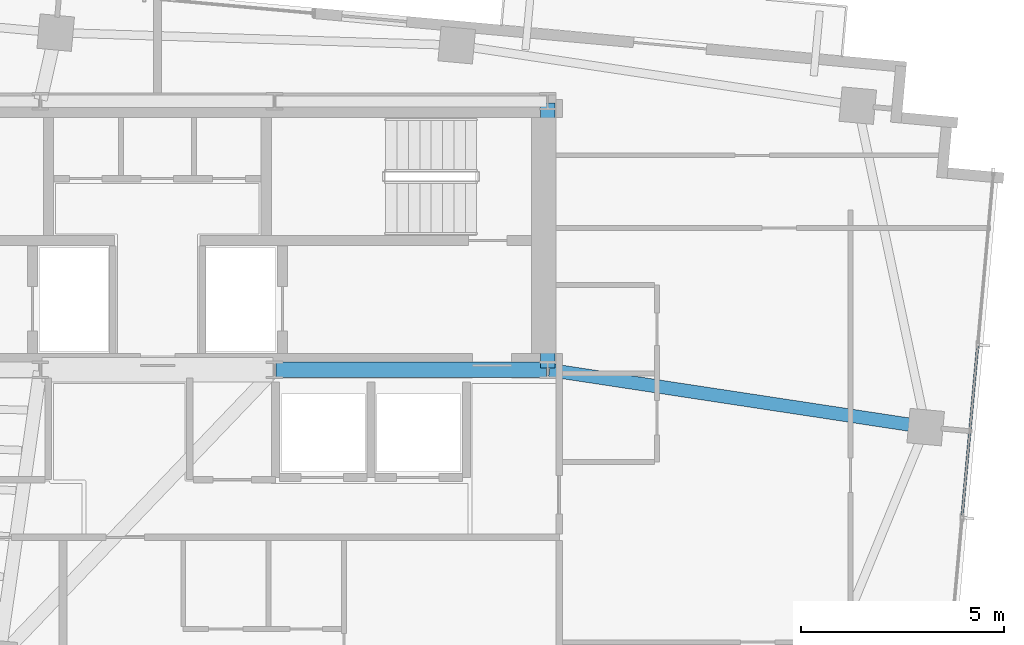
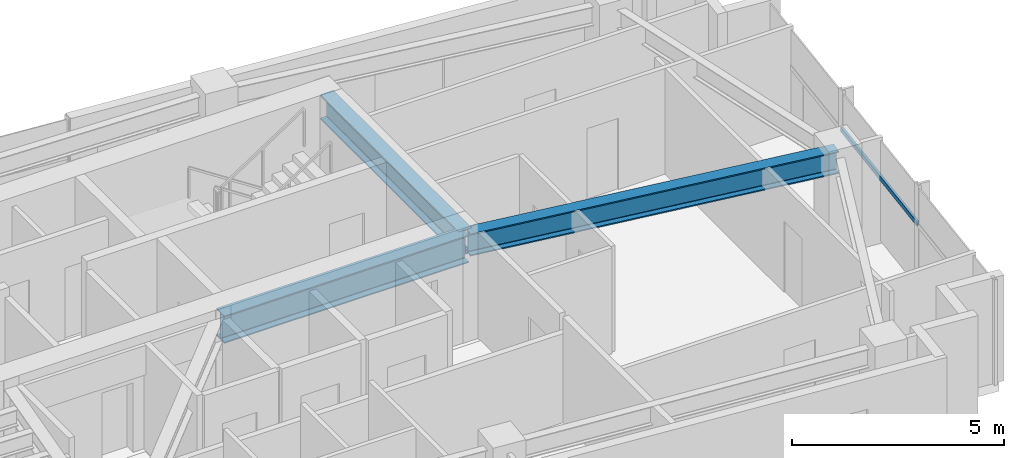
# One storey, part 13 of 22: 3 beams, 1 member, 1 element without a shape of its own.
"""IFC4 building model written with IfcOpenShell, lengths in metres."""

import ifcopenshell
import ifcopenshell.guid

model = None  # the IFC model being written
_history = None  # IfcOwnerHistory: only IFC2X3 demands one
_inside = {}  # id of a spatial element -> (the spatial element, [elements in it])
_under = {}  # id of a project, library or spatial element -> (it, [spatial elements below it])
_declared = {}  # id of a project -> (the project, [libraries it declares])
_typed = {}  # id of a type object -> (the type object, [elements of that type])
_made_of = {}  # id of a material, layer set ... -> (it, [elements and type objects made of it])


def new_model(schema):
    """Start an empty IFC model of exactly this schema.

    Asked for "IFC4X3", IfcOpenShell would pick the latest addendum, in which some entities
    have other attributes; the version numbers below select the first issue.
    IFC2X3 requires an IfcOwnerHistory on every rooted entity: one is made here for all.
    """
    global model, _history
    if schema == "IFC4X3":
        model = ifcopenshell.file(schema_version=(4, 3, 0, 0))
    else:
        model = ifcopenshell.file(schema=schema)
    _inside.clear()
    _under.clear()
    _declared.clear()
    _typed.clear()
    _made_of.clear()
    _history = None
    if model.schema == "IFC2X3":
        org = make("IfcOrganization", Name="unknown")
        user = make(
            "IfcPersonAndOrganization",
            ThePerson=make("IfcPerson", FamilyName="unknown"),
            TheOrganization=org,
        )
        app = make(
            "IfcApplication",
            ApplicationDeveloper=org,
            Version="unknown",
            ApplicationFullName="unknown",
            ApplicationIdentifier="unknown",
        )
        _history = make(
            "IfcOwnerHistory",
            OwningUser=user,
            OwningApplication=app,
            ChangeAction="ADDED",
            CreationDate=0,
        )
    return model


def make(cls, **values):
    """One entity of the class cls with the attributes given. An attribute that is None is left unset."""
    return model.create_entity(
        cls, **{name: value for name, value in values.items() if value is not None}
    )


def rooted(cls, **values):
    """An entity with a GlobalId (a new one), such as an element, a storey or a relation."""
    return make(cls, GlobalId=ifcopenshell.guid.new(), OwnerHistory=_history, **values)


def si_unit(unit_type, name, prefix=None):
    """IfcSIUnit, for example si_unit("LENGTHUNIT", "METRE", prefix="MILLI")."""
    return make("IfcSIUnit", UnitType=unit_type, Prefix=prefix, Name=name)


def assignment(units):
    """IfcUnitAssignment: the units of a project."""
    return None if units is None else make("IfcUnitAssignment", Units=units)


def point(xyz):
    """IfcCartesianPoint."""
    return None if xyz is None else make("IfcCartesianPoint", Coordinates=xyz)


def direction(xyz):
    """IfcDirection."""
    return None if xyz is None else make("IfcDirection", DirectionRatios=xyz)


def frame(location, z_axis=None, x_axis=None):
    """IfcAxis2Placement3D, a coordinate frame: its origin and axes. An axis left out is left unset."""
    return make(
        "IfcAxis2Placement3D",
        Location=point(location),
        Axis=direction(z_axis),
        RefDirection=direction(x_axis),
    )


def frame_2d(location, x_axis=None):
    """IfcAxis2Placement2D, a coordinate frame in the plane: its origin and x axis."""
    return make(
        "IfcAxis2Placement2D", Location=point(location), RefDirection=direction(x_axis)
    )


def origin():
    """The frame at (0, 0, 0) with its axes left unset."""
    return frame((0.0, 0.0, 0.0))


def origin_2d():
    """The frame at (0, 0) in the plane with its x axis left unset."""
    return frame_2d((0.0, 0.0))


def place(relative_to, where):
    """IfcLocalPlacement: puts the frame where relative to a parent placement (None: the world)."""
    return make(
        "IfcLocalPlacement", PlacementRelTo=relative_to, RelativePlacement=where
    )


def context(
    kind, dimensions, precision=None, world=None, true_north=None, identifier=None
):
    """IfcGeometricRepresentationContext, for example the 3D "Model" context."""
    return make(
        "IfcGeometricRepresentationContext",
        ContextIdentifier=identifier,
        ContextType=kind,
        CoordinateSpaceDimension=dimensions,
        Precision=precision,
        WorldCoordinateSystem=world,
        TrueNorth=true_north,
    )


def subcontext(parent, identifier, kind, view, scale=None):
    """IfcGeometricRepresentationSubContext, for example "Body" below "Model"."""
    return make(
        "IfcGeometricRepresentationSubContext",
        ContextIdentifier=identifier,
        ContextType=kind,
        ParentContext=parent,
        TargetScale=scale,
        TargetView=view,
    )


def project(units=None, contexts=None):
    """IfcProject with its units and contexts."""
    return rooted(
        "IfcProject",
        Name="project",
        RepresentationContexts=contexts,
        UnitsInContext=assignment(units),
    )


def spatial(cls, under=None, at=None, **own):
    """A site, building, storey or space (cls), placed at a placement, below another one or the project."""
    s = rooted(cls, ObjectPlacement=at, **own)
    if under is not None:
        _under.setdefault(under.id(), (under, []))[1].append(s)
    return s


def profile(cls, at=None, kind="AREA", **sizes):
    """A parametric profile (cls). Its sizes go by their IFC names, for example OverallWidth=200.0."""
    return make(cls, ProfileType=kind, Position=at, **sizes)


def hollow_rectangle(**sizes):
    """IfcRectangleHollowProfileDef."""
    return profile("IfcRectangleHollowProfileDef", **sizes)


def i_section(**sizes):
    """IfcIShapeProfileDef."""
    return profile("IfcIShapeProfileDef", **sizes)


def extrude(swept, where, along, depth):
    """IfcExtrudedAreaSolid: the profile swept, set in the frame where, extruded along a direction by depth."""
    return make(
        "IfcExtrudedAreaSolid",
        SweptArea=swept,
        Position=where,
        ExtrudedDirection=direction(along),
        Depth=depth,
    )


def shape(context_of_items, identifier, shape_type, items):
    """IfcShapeRepresentation: the items that make up one representation, for example the "Body"."""
    return make(
        "IfcShapeRepresentation",
        ContextOfItems=context_of_items,
        RepresentationIdentifier=identifier,
        RepresentationType=shape_type,
        Items=items,
    )


def source(mapping_origin, context_of_items, identifier, shape_type, items):
    """IfcRepresentationMap: a shape defined once, which mapped items show again and again."""
    return make(
        "IfcRepresentationMap",
        MappingOrigin=mapping_origin,
        MappedRepresentation=shape(context_of_items, identifier, shape_type, items),
    )


def transform(
    local_origin,
    x_axis=None,
    y_axis=None,
    z_axis=None,
    scale=None,
    scale2=None,
    scale3=None,
    uniform=True,
):
    """IfcCartesianTransformationOperator3D, or its non-uniform kind. x_axis, y_axis, z_axis: its Axis1, 2, 3."""
    if uniform:
        return make(
            "IfcCartesianTransformationOperator3D",
            Axis1=direction(x_axis),
            Axis2=direction(y_axis),
            LocalOrigin=point(local_origin),
            Scale=scale,
            Axis3=direction(z_axis),
        )
    return make(
        "IfcCartesianTransformationOperator3DnonUniform",
        Axis1=direction(x_axis),
        Axis2=direction(y_axis),
        LocalOrigin=point(local_origin),
        Scale=scale,
        Axis3=direction(z_axis),
        Scale2=scale2,
        Scale3=scale3,
    )


def mapped(mapping_source, mapping_target):
    """IfcMappedItem: shows the shape of a source again, moved by a transform."""
    return make(
        "IfcMappedItem", MappingSource=mapping_source, MappingTarget=mapping_target
    )


def material(Name=None, Category=None):
    """IfcMaterial."""
    return make("IfcMaterial", Name=Name, Category=Category)


def material_profile(
    of_material, cross_section, Name=None, Category=None, Priority=None
):
    """IfcMaterialProfile: a cross section and its material."""
    return make(
        "IfcMaterialProfile",
        Name=Name,
        Material=of_material,
        Profile=cross_section,
        Priority=Priority,
        Category=Category,
    )


def profile_set(profiles, Name=None, composite=None):
    """IfcMaterialProfileSet."""
    return make(
        "IfcMaterialProfileSet",
        Name=Name,
        MaterialProfiles=profiles,
        CompositeProfile=composite,
    )


def made_of(thing, what):
    """Note that an element or type object is made of a material, layer set ...; save() writes the relation."""
    if what is not None:
        _made_of.setdefault(what.id(), (what, []))[1].append(thing)
    return thing


def type_object(cls, material=None, **own):
    """A type object (cls), such as IfcWallType, which elements share."""
    return made_of(rooted(cls, **own), material)


def type_shapes(of_type, sources):
    """Give a type object the sources (RepresentationMaps) that its elements show as mapped items."""
    of_type.RepresentationMaps = sources


def element(
    cls,
    number,
    at=None,
    inside=None,
    cuts=None,
    type_object=None,
    material=None,
    context=None,
    identifier="Body",
    shape_type=None,
    held_by="IfcProductDefinitionShape",
    body=None,
    shapes=None,
    **own,
):
    """One element of the class cls, such as IfcWall. Its Tag is "e" and its number.

    at: its placement. inside: the storey or other place that contains it. cuts: it is an
    opening in that element (IfcRelVoidsElement). A single representation is given by context,
    identifier, shape_type and body (its items); several are given by shapes. held_by: the class
    of the entity that holds the representations. save() writes the other relations.
    """
    e = rooted(cls, Tag="e%d" % number, ObjectPlacement=at, **own)
    if body is not None:
        shapes = [shape(context, identifier, shape_type, body)]
    if shapes is not None:
        e.Representation = make(held_by, Representations=shapes)
    if inside is not None:
        _inside.setdefault(inside.id(), (inside, []))[1].append(e)
    if cuts is not None:
        rooted(
            "IfcRelVoidsElement", RelatingBuildingElement=cuts, RelatedOpeningElement=e
        )
    if type_object is not None:
        _typed.setdefault(type_object.id(), (type_object, []))[1].append(e)
    return made_of(e, material)


def aggregate(whole, parts):
    """IfcRelAggregates: a whole, such as a stair, and the parts it consists of."""
    return rooted("IfcRelAggregates", RelatingObject=whole, RelatedObjects=parts)


def save(model, path):
    """Write the relations noted so far, then the file.

    IfcRelAggregates (storeys below a building ...), IfcRelContainedInSpatialStructure (elements
    in a storey), IfcRelDefinesByType, IfcRelAssociatesMaterial and IfcRelDeclares: one each for
    every whole, place, type object, material and project.
    """
    for whole, parts in _under.values():
        aggregate(whole, parts)
    for where, things in _inside.values():
        rooted(
            "IfcRelContainedInSpatialStructure",
            RelatedElements=things,
            RelatingStructure=where,
        )
    for kind, things in _typed.values():
        rooted("IfcRelDefinesByType", RelatedObjects=things, RelatingType=kind)
    for what, things in _made_of.values():
        rooted("IfcRelAssociatesMaterial", RelatedObjects=things, RelatingMaterial=what)
    for by, libraries in _declared.values():
        rooted("IfcRelDeclares", RelatingContext=by, RelatedDefinitions=libraries)
    model.write(path)


model = new_model("IFC4")

# Units and contexts
model_context = context("Model", 3, precision=1e-05, world=origin(), true_north=direction((0.0, 1.0)))
body_context = subcontext(model_context, "Body", "Model", "MODEL_VIEW")
ifc_project = project(units=[si_unit("LENGTHUNIT", "METRE"), si_unit("AREAUNIT", "SQUARE_METRE"), si_unit("VOLUMEUNIT", "CUBIC_METRE"), si_unit("PLANEANGLEUNIT", "RADIAN"), si_unit("MASSUNIT", "GRAM", prefix="KILO")], contexts=[model_context])

# Site, building, storey
site_placement = place(None, origin())
site = spatial("IfcSite", under=ifc_project, at=site_placement, CompositionType="ELEMENT")
building_placement = place(site_placement, origin())
building = spatial("IfcBuilding", under=site, at=building_placement, Name="Astriad Promenade Condominiums", CompositionType="ELEMENT")
storey_placement = place(building_placement, frame((0.0, 0.0, 219.89990234375)))
storey = spatial("IfcBuildingStorey", under=building, at=storey_placement, Name="L63", CompositionType="ELEMENT", Elevation=219.89990234375)

# Beams
ifc_material_1 = material(Name="Steel ASTM A992 Grade 50", Category="steel")
ifc_material_profile_1 = material_profile(ifc_material_1, i_section(OverallWidth=0.3837890625, OverallDepth=0.785888671875, WebThickness=0.019775390625, FlangeThickness=0.033447265625, FilletRadius=0.021484375, at=origin_2d()), Name="W30X211")
ifc_profile_set_1 = profile_set([ifc_material_profile_1], Name="Steel ASTM A992 Grade 50")
beam_type_1 = type_object("IfcBeamType", Name="STEEL FLOOR GIRDER W30X211", PredefinedType="BEAM", material=ifc_profile_set_1)
shared_shape_1 = source(origin(), body_context, "Body", "SweptSolid", [
    extrude(i_section(OverallWidth=0.3837890625, OverallDepth=0.785888671875, WebThickness=0.019775390625, FlangeThickness=0.033447265625, FilletRadius=0.021484375, at=origin_2d()), origin(), (0.0, 0.0, 1.0), 6.64013671875),
])
type_shapes(beam_type_1, [shared_shape_1])
beam_1_placement = place(storey_placement, frame((38.919921875, 17.39990234375, 2.647216796875), z_axis=(1.0, 0.0, 0.0), x_axis=(0.0, 1.0, 0.0)))
element("IfcBeam", 1, at=beam_1_placement, inside=storey, type_object=beam_type_1, Name="Core Ring Beam CG-S3-L63", PredefinedType="BEAM", context=body_context, shape_type="MappedRepresentation", body=[
    mapped(shared_shape_1, transform((0.0, 0.0, 0.0), scale=1.0)),
])
ifc_material_profile_2 = material_profile(ifc_material_1, i_section(OverallWidth=0.35791015625, OverallDepth=0.706298828125, WebThickness=0.018310546875, FlangeThickness=0.0302734375, FilletRadius=0.020263671875, at=origin_2d()), Name="W27X178")
ifc_profile_set_2 = profile_set([ifc_material_profile_2], Name="Steel ASTM A992 Grade 50")
beam_type_2 = type_object("IfcBeamType", Name="STEEL FLOOR GIRDER W27X178", PredefinedType="BEAM", material=ifc_profile_set_2)
shared_shape_2 = source(origin(), body_context, "Body", "SweptSolid", [
    extrude(i_section(OverallWidth=0.35791015625, OverallDepth=0.706298828125, WebThickness=0.018310546875, FlangeThickness=0.0302734375, FilletRadius=0.020263671875, at=origin_2d()), origin(), (0.0, 0.0, 1.0), 6.52001953125),
])
type_shapes(beam_type_2, [shared_shape_2])
beam_2_placement = place(storey_placement, frame((45.60009765625, 17.43994140625, 2.68701171875), z_axis=(0.0, 1.0, 0.0), x_axis=(-1.0, 0.0, 0.0)))
element("IfcBeam", 2, at=beam_2_placement, inside=storey, type_object=beam_type_2, Name="Core Ring Beam CG-E1-L63", PredefinedType="BEAM", context=body_context, shape_type="MappedRepresentation", body=[
    mapped(shared_shape_2, transform((0.0, 0.0, 0.0), scale=1.0)),
])
ifc_material_profile_3 = material_profile(ifc_material_1, i_section(OverallWidth=0.327392578125, OverallDepth=0.640625, WebThickness=0.01904296875, FlangeThickness=0.033935546875, FilletRadius=0.017822265625, at=origin_2d()), Name="W24X176")
ifc_profile_set_3 = profile_set([ifc_material_profile_3], Name="Steel ASTM A992 Grade 50")
beam_type_3 = type_object("IfcBeamType", Name="STEEL FLOOR GIRDER W24X176", PredefinedType="BEAM", material=ifc_profile_set_3)
shared_shape_3 = source(origin(), body_context, "Body", "SweptSolid", [
    extrude(i_section(OverallWidth=0.327392578125, OverallDepth=0.640625, WebThickness=0.01904296875, FlangeThickness=0.033935546875, FilletRadius=0.017822265625, at=origin_2d()), origin(), (0.0, 0.0, 1.0), 9.315185546875),
])
type_shapes(beam_type_3, [shared_shape_3])
beam_3_placement = place(storey_placement, frame((54.84912109375, 15.995849609375, 2.7197265625), z_axis=(-0.988671230988, 0.150097291834, 0.0), x_axis=(-0.150097291834, -0.988671230988, 0.0)))
element("IfcBeam", 3, at=beam_3_placement, inside=storey, type_object=beam_type_3, Name="Primary Floor Girder PG-EM-L63", PredefinedType="BEAM", context=body_context, shape_type="MappedRepresentation", body=[
    mapped(shared_shape_3, transform((0.0, 0.0, 0.0), scale=1.0)),
])

# Curtain wall, member
ifc_material_2 = material(Name="Anodised aluminium Black Dark Glass Unitised", Category="aluminium")
curtain_wall_type = type_object("IfcCurtainWallType", Name="CW-B5-DARK", PredefinedType="USERDEFINED", material=ifc_material_2)
curtain_wall_placement = place(storey_placement, origin())
curtain_wall = element("IfcCurtainWall", 4, at=curtain_wall_placement, inside=storey, type_object=curtain_wall_type, Name="CW-L63-E", ObjectType="UNITISED_CURTAIN_WALL", PredefinedType="USERDEFINED")
ifc_material_3 = material(Name="Anodised aluminium 6063-T6 Black", Category="aluminium")
ifc_material_profile_4 = material_profile(ifc_material_3, hollow_rectangle(XDim=0.06494140625, YDim=0.1298828125, WallThickness=0.00390625, at=origin_2d()), Name="ALU-TRN-65X130")
ifc_profile_set_4 = profile_set([ifc_material_profile_4], Name="Anodised aluminium 6063-T6 Black")
member_type = type_object("IfcMemberType", Name="TRN-ALU-TRN-65X130", PredefinedType="USERDEFINED", material=ifc_profile_set_4)
shared_shape_4 = source(origin(), body_context, "Body", "SweptSolid", [
    extrude(hollow_rectangle(XDim=0.06494140625, YDim=0.1298828125, WallThickness=0.00390625, at=origin_2d()), origin(), (0.0, 0.0, 1.0), 4.266845703125),
])
type_shapes(member_type, [shared_shape_4])
member_placement = place(storey_placement, frame((56.16748046875, 18.015625, 1.885009765625), z_axis=(-0.090633767096, -0.995884290599, 0.0), x_axis=(0.995884290599, -0.090633767096, 0.0)))
member = element("IfcMember", 5, at=member_placement, type_object=member_type, Name="CW-L63-E-TRN-01-0", ObjectType="TRANSOM", PredefinedType="USERDEFINED", context=body_context, shape_type="MappedRepresentation", body=[
    mapped(shared_shape_4, transform((0.0, 0.0, 0.0), scale=1.0)),
])
aggregate(curtain_wall, [member])

save(model, "model.ifc")
